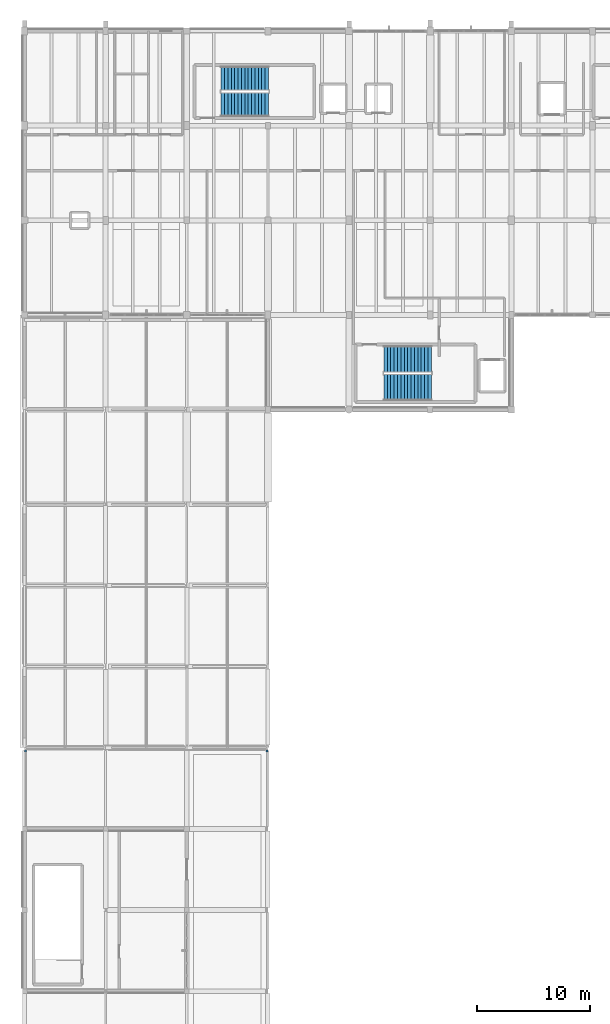
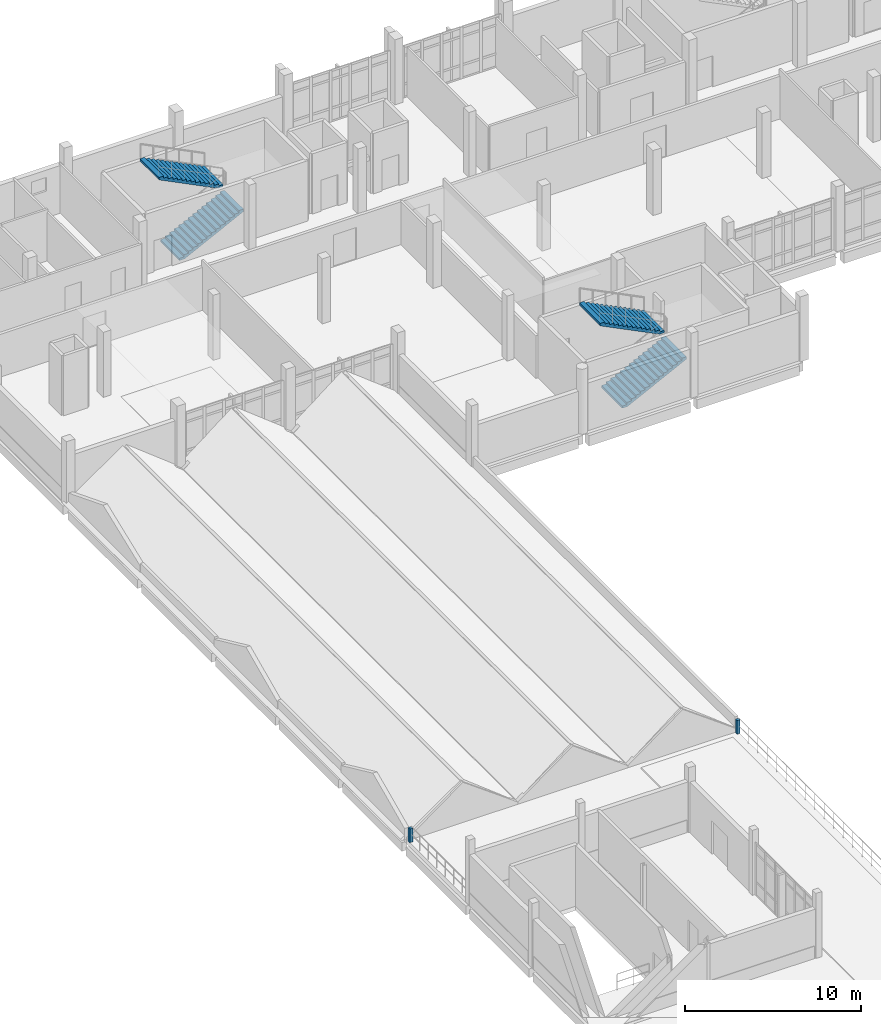
# One storey, part 35 of 41: 4 stair flights, 2 walls, 2 elements without a shape of their own.
"""IFC4 building model written with IfcOpenShell, lengths in metres."""

from ifc_helpers import new_model, si_unit, direction, frame, frame_2d, origin, place, context, subcontext, project, spatial, polyline, rectangle, outline, extrude, material, layer, layer_set, type_object, element, aggregate, save


model = new_model("IFC4")

# Units and contexts
model_context = context("Model", 3, precision=1e-05, world=origin(), true_north=direction((0.0, 1.0)))
body_context = subcontext(model_context, "Body", "Model", "MODEL_VIEW")
ifc_project = project(units=[si_unit("LENGTHUNIT", "METRE"), si_unit("AREAUNIT", "SQUARE_METRE"), si_unit("VOLUMEUNIT", "CUBIC_METRE"), si_unit("PLANEANGLEUNIT", "RADIAN"), si_unit("MASSUNIT", "GRAM", prefix="KILO")], contexts=[model_context])

# Site, building, storey
site_placement = place(None, origin())
site = spatial("IfcSite", under=ifc_project, at=site_placement, CompositionType="ELEMENT")
building_placement = place(site_placement, origin())
building = spatial("IfcBuilding", under=site, at=building_placement, Name="Kalluvel Institute of Natural Sciences", CompositionType="ELEMENT")
storey_placement = place(building_placement, frame((0.0, 0.0, 32.39990234375)))
storey = spatial("IfcBuildingStorey", under=building, at=storey_placement, Name="L07", CompositionType="ELEMENT", Elevation=32.39990234375)

# Walls
ifc_material_1 = material(Name="Sadarahalli Grey Granite Ashlar Concrete M40", Category="masonry")
ifc_layer = layer(ifc_material_1, 0.199951171875)
ifc_layer_set = layer_set([ifc_layer], Name="Sadarahalli Grey Granite Ashlar Concrete M40")
wall_type = type_object("IfcWallType", Name="WL-PAR-200", PredefinedType="PARAPET", material=ifc_layer_set)
for number, where, z_axis, x_axis, name in (
    (1, (35.52001953125, 64.02001953125, 0.0), (0.0, 0.0, 1.0), (0.0, 1.0, 0.0), "L07 maintenance roof stone parapet 18"),
    (2, (14.080078125, 64.02001953125, 0.0), (0.0, 0.0, 1.0), (0.0, 1.0, 0.0), "L07 maintenance roof stone parapet 19"),
):
    element("IfcWall", number, at=place(storey_placement, frame(where, z_axis=z_axis, x_axis=x_axis)), inside=storey, type_object=wall_type, Name=name, PredefinedType="PARAPET", context=body_context, shape_type="SweptSolid", body=[
        extrude(rectangle(XDim=0.179931640625, YDim=0.199951171875, at=frame_2d((0.08984375, 0.0))), origin(), (0.0, 0.0, 1.0), 0.9501953125),
    ])

# Stair, stair flights
ifc_material_2 = material(Name="Concrete M40", Category="concrete")
stair_type_1 = type_object("IfcStairType", Name="STR-ST12-45", PredefinedType="HALF_TURN_STAIR", material=ifc_material_2)
stair_1_placement = place(storey_placement, origin())
stair_1 = element("IfcStair", 3, at=stair_1_placement, inside=storey, type_object=stair_type_1, Name="L07 Wet Wing West Protected Exit Stair ST1", PredefinedType="HALF_TURN_STAIR")
stair_flight_type_1 = type_object("IfcStairFlightType", Name="STF-ST12-45", PredefinedType="STRAIGHT", material=ifc_material_2)
stair_flight_1_placement = place(storey_placement, frame((31.449951171875, 121.47998046875, 0.0), z_axis=(0.0, 0.0, 1.0), x_axis=(1.0, 0.0, 0.0)))
stair_flight_1 = element("IfcStairFlight", 4, at=stair_flight_1_placement, type_object=stair_flight_type_1, Name="S1-45 flight 1", NumberOfRisers=15, NumberOfTreads=14, PredefinedType="STRAIGHT", RiserHeight=0.15, TreadLength=0.3, context=body_context, shape_type="SweptSolid", body=[
    extrude(outline(polyline([(0.0, 0.0), (0.0, 0.14990234375), (0.300048828125, 0.14990234375), (0.300048828125, 0.300048828125), (0.60009765625, 0.300048828125), (0.60009765625, 0.449951171875), (0.89990234375, 0.449951171875), (0.89990234375, 0.60009765625), (1.199951171875, 0.60009765625), (1.199951171875, 0.75), (1.5, 0.75), (1.5, 0.89990234375), (1.800048828125, 0.89990234375), (1.800048828125, 1.050048828125), (2.10009765625, 1.050048828125), (2.10009765625, 1.199951171875), (2.39990234375, 1.199951171875), (2.39990234375, 1.35009765625), (2.699951171875, 1.35009765625), (2.699951171875, 1.5), (3.0, 1.5), (3.0, 1.64990234375), (3.300048828125, 1.64990234375), (3.300048828125, 1.800048828125), (3.60009765625, 1.800048828125), (3.60009765625, 1.949951171875), (3.89990234375, 1.949951171875), (3.89990234375, 2.10009765625), (4.199951171875, 2.10009765625), (4.199951171875, 2.25), (4.199951171875, 1.932373046875), (0.335205078125, 0.0), (0.0, 0.0)])), frame((0.0, 1.080078125, 0.0), z_axis=(0.0, -1.0, 0.0), x_axis=(1.0, 0.0, 0.0)), (0.0, 0.0, 1.0), 2.159912109375),
])
stair_flight_2_placement = place(storey_placement, frame((35.64990234375, 123.7900390625, 2.25), z_axis=(0.0, 0.0, 1.0), x_axis=(-1.0, 0.0, 0.0)))
stair_flight_2 = element("IfcStairFlight", 5, at=stair_flight_2_placement, type_object=stair_flight_type_1, Name="S1-45 flight 2", NumberOfRisers=15, NumberOfTreads=14, PredefinedType="STRAIGHT", RiserHeight=0.15, TreadLength=0.3, context=body_context, shape_type="SweptSolid", body=[
    extrude(outline(polyline([(0.0, 0.0), (0.0, 0.14990234375), (0.300048828125, 0.14990234375), (0.300048828125, 0.300048828125), (0.60009765625, 0.300048828125), (0.60009765625, 0.449951171875), (0.89990234375, 0.449951171875), (0.89990234375, 0.60009765625), (1.199951171875, 0.60009765625), (1.199951171875, 0.75), (1.5, 0.75), (1.5, 0.89990234375), (1.800048828125, 0.89990234375), (1.800048828125, 1.050048828125), (2.10009765625, 1.050048828125), (2.10009765625, 1.199951171875), (2.39990234375, 1.199951171875), (2.39990234375, 1.35009765625), (2.699951171875, 1.35009765625), (2.699951171875, 1.5), (3.0, 1.5), (3.0, 1.64990234375), (3.300048828125, 1.64990234375), (3.300048828125, 1.800048828125), (3.60009765625, 1.800048828125), (3.60009765625, 1.949951171875), (3.89990234375, 1.949951171875), (3.89990234375, 2.10009765625), (4.199951171875, 2.10009765625), (4.199951171875, 2.25), (4.199951171875, 1.932373046875), (0.335205078125, 0.0), (0.0, 0.0)])), frame((0.0, 1.080078125, 0.0), z_axis=(0.0, -1.0, 0.0), x_axis=(1.0, 0.0, 0.0)), (0.0, 0.0, 1.0), 2.159912109375),
])
aggregate(stair_1, [stair_flight_1, stair_flight_2])

stair_type_2 = type_object("IfcStairType", Name="STR-ST3-45", PredefinedType="HALF_TURN_STAIR", material=ifc_material_2)
stair_2_placement = place(storey_placement, origin())
stair_2 = element("IfcStair", 6, at=stair_2_placement, inside=storey, type_object=stair_type_2, Name="L07 Central Fire-Tower Protected Stair ST3", PredefinedType="HALF_TURN_STAIR")
stair_flight_type_2 = type_object("IfcStairFlightType", Name="STF-ST3-45", PredefinedType="STRAIGHT", material=ifc_material_2)
stair_flight_3_placement = place(storey_placement, frame((45.89990234375, 96.3798828125, 0.0), z_axis=(0.0, 0.0, 1.0), x_axis=(1.0, 0.0, 0.0)))
stair_flight_3 = element("IfcStairFlight", 7, at=stair_flight_3_placement, type_object=stair_flight_type_2, Name="S3-45 flight 1", NumberOfRisers=15, NumberOfTreads=14, PredefinedType="STRAIGHT", RiserHeight=0.15, TreadLength=0.3, context=body_context, shape_type="SweptSolid", body=[
    extrude(outline(polyline([(0.0, 0.0), (0.0, 0.14990234375), (0.300048828125, 0.14990234375), (0.300048828125, 0.300048828125), (0.60009765625, 0.300048828125), (0.60009765625, 0.449951171875), (0.89990234375, 0.449951171875), (0.89990234375, 0.60009765625), (1.199951171875, 0.60009765625), (1.199951171875, 0.75), (1.5, 0.75), (1.5, 0.89990234375), (1.800048828125, 0.89990234375), (1.800048828125, 1.050048828125), (2.10009765625, 1.050048828125), (2.10009765625, 1.199951171875), (2.39990234375, 1.199951171875), (2.39990234375, 1.35009765625), (2.699951171875, 1.35009765625), (2.699951171875, 1.5), (3.0, 1.5), (3.0, 1.64990234375), (3.300048828125, 1.64990234375), (3.300048828125, 1.800048828125), (3.60009765625, 1.800048828125), (3.60009765625, 1.949951171875), (3.89990234375, 1.949951171875), (3.89990234375, 2.10009765625), (4.199951171875, 2.10009765625), (4.199951171875, 2.25), (4.199951171875, 1.932373046875), (0.335205078125, 0.0), (0.0, 0.0)])), frame((0.0, 1.18017578125, 0.0), z_axis=(0.0, -1.0, 0.0), x_axis=(1.0, 0.0, 0.0)), (0.0, 0.0, 1.0), 2.360107421875),
])
stair_flight_4_placement = place(storey_placement, frame((50.10009765625, 98.889892578125, 2.25), z_axis=(0.0, 0.0, 1.0), x_axis=(-1.0, 0.0, 0.0)))
stair_flight_4 = element("IfcStairFlight", 8, at=stair_flight_4_placement, type_object=stair_flight_type_2, Name="S3-45 flight 2", NumberOfRisers=15, NumberOfTreads=14, PredefinedType="STRAIGHT", RiserHeight=0.15, TreadLength=0.3, context=body_context, shape_type="SweptSolid", body=[
    extrude(outline(polyline([(0.0, 0.0), (0.0, 0.14990234375), (0.300048828125, 0.14990234375), (0.300048828125, 0.300048828125), (0.60009765625, 0.300048828125), (0.60009765625, 0.449951171875), (0.89990234375, 0.449951171875), (0.89990234375, 0.60009765625), (1.199951171875, 0.60009765625), (1.199951171875, 0.75), (1.5, 0.75), (1.5, 0.89990234375), (1.800048828125, 0.89990234375), (1.800048828125, 1.050048828125), (2.10009765625, 1.050048828125), (2.10009765625, 1.199951171875), (2.39990234375, 1.199951171875), (2.39990234375, 1.35009765625), (2.699951171875, 1.35009765625), (2.699951171875, 1.5), (3.0, 1.5), (3.0, 1.64990234375), (3.300048828125, 1.64990234375), (3.300048828125, 1.800048828125), (3.60009765625, 1.800048828125), (3.60009765625, 1.949951171875), (3.89990234375, 1.949951171875), (3.89990234375, 2.10009765625), (4.199951171875, 2.10009765625), (4.199951171875, 2.25), (4.199951171875, 1.932373046875), (0.335205078125, 0.0), (0.0, 0.0)])), frame((0.0, 1.18017578125, 0.0), z_axis=(0.0, -1.0, 0.0), x_axis=(1.0, 0.0, 0.0)), (0.0, 0.0, 1.0), 2.360107421875),
])
aggregate(stair_2, [stair_flight_3, stair_flight_4])

save(model, "model.ifc")
